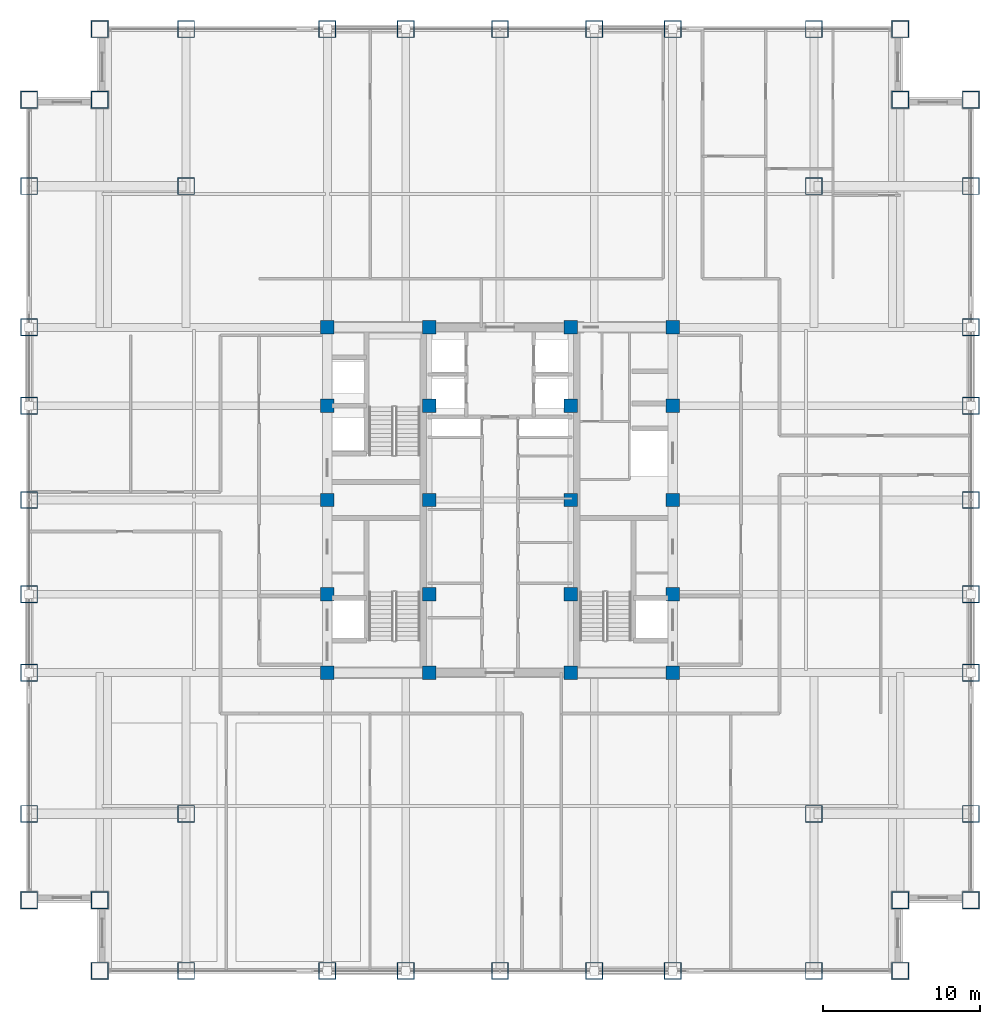
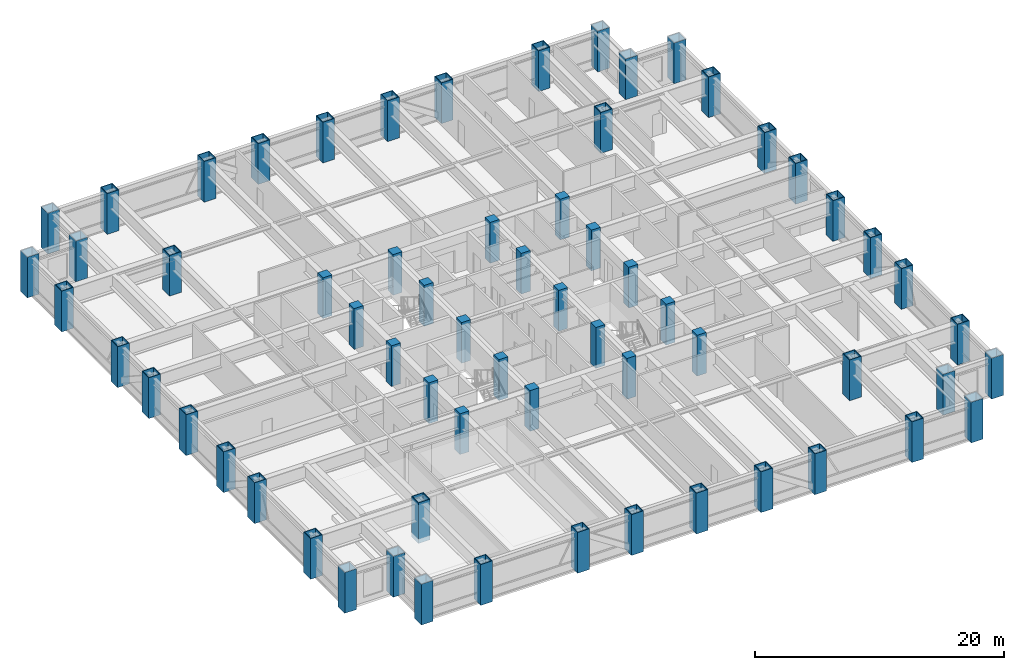
# One storey, part 1 of 26: 64 columns.
"""IFC4 building model written with IfcOpenShell, lengths in metres."""

from ifc_helpers import new_model, si_unit, direction, frame, origin, origin_2d, place, context, subcontext, project, spatial, rectangle, hollow_rectangle, extrude, source, transform, mapped, material, material_profile, profile_set, type_object, element, save


model = new_model("IFC4")

# Units and contexts
model_context = context("Model", 3, precision=1e-05, world=origin(), true_north=direction((0.0, 1.0)))
body_context = subcontext(model_context, "Body", "Model", "MODEL_VIEW")
ifc_project = project(units=[si_unit("LENGTHUNIT", "METRE"), si_unit("AREAUNIT", "SQUARE_METRE"), si_unit("VOLUMEUNIT", "CUBIC_METRE"), si_unit("PLANEANGLEUNIT", "RADIAN"), si_unit("MASSUNIT", "GRAM", prefix="KILO")], contexts=[model_context])

# Site, building, storey
site_placement = place(None, origin())
site = spatial("IfcSite", under=ifc_project, at=site_placement, CompositionType="ELEMENT")
building_placement = place(site_placement, origin())
building = spatial("IfcBuilding", under=site, at=building_placement, Name="Khorayat Bourse Tower", CompositionType="ELEMENT")
storey_placement = place(building_placement, frame((0.0, 0.0, 207.10009765625)))
storey = spatial("IfcBuildingStorey", under=building, at=storey_placement, Name="L48", CompositionType="ELEMENT", Elevation=207.10009765625)

# Columns
ifc_material_1 = material(Name="Steel EN 10025-4 S460M", Category="steel")
ifc_material_profile_1 = material_profile(ifc_material_1, hollow_rectangle(XDim=1.10009765625, YDim=1.10009765625, WallThickness=0.06005859375, at=origin_2d()), Name="BOX 1100x1100x60")
ifc_profile_set_1 = profile_set([ifc_material_profile_1], Name="Steel EN 10025-4 S460M")
column_type_1 = type_object("IfcColumnType", Name="COL-TUBE-1100", PredefinedType="COLUMN", material=ifc_profile_set_1)
shared_shape_1 = source(origin(), body_context, "Body", "SweptSolid", [
    extrude(hollow_rectangle(XDim=1.10009765625, YDim=1.10009765625, WallThickness=0.06005859375, at=origin_2d()), origin(), (0.0, 0.0, 1.0), 4.0),
])
for number, where, z_axis, x_axis, name in (
    (1, (-30.0, -25.5, 0.0), (0.0, 0.0, 1.0), (1.0, 0.0, 0.0), "L48 Column 001"),
    (2, (-30.0, -20.0, 0.0), (0.0, 0.0, 1.0), (1.0, 0.0, 0.0), "L48 Column 002"),
    (3, (-30.0, -11.0, 0.0), (0.0, 0.0, 1.0), (1.0, 0.0, 0.0), "L48 Column 003"),
    (4, (-30.0, -6.0, 0.0), (0.0, 0.0, 1.0), (1.0, 0.0, 0.0), "L48 Column 004"),
    (5, (-30.0, 0.0, 0.0), (0.0, 0.0, 1.0), (1.0, 0.0, 0.0), "L48 Column 005"),
    (6, (-30.0, 6.0, 0.0), (0.0, 0.0, 1.0), (1.0, 0.0, 0.0), "L48 Column 006"),
    (7, (-30.0, 11.0, 0.0), (0.0, 0.0, 1.0), (1.0, 0.0, 0.0), "L48 Column 007"),
    (8, (-30.0, 20.0, 0.0), (0.0, 0.0, 1.0), (1.0, 0.0, 0.0), "L48 Column 008"),
    (9, (-30.0, 25.5, 0.0), (0.0, 0.0, 1.0), (1.0, 0.0, 0.0), "L48 Column 009"),
    (10, (-25.5, -30.0, 0.0), (0.0, 0.0, 1.0), (1.0, 0.0, 0.0), "L48 Column 010"),
    (11, (-25.5, -25.5, 0.0), (0.0, 0.0, 1.0), (1.0, 0.0, 0.0), "L48 Column 011"),
    (12, (-25.5, 25.5, 0.0), (0.0, 0.0, 1.0), (1.0, 0.0, 0.0), "L48 Column 012"),
    (13, (-25.5, 30.0, 0.0), (0.0, 0.0, 1.0), (1.0, 0.0, 0.0), "L48 Column 013"),
    (14, (-20.0, -30.0, 0.0), (0.0, 0.0, 1.0), (1.0, 0.0, 0.0), "L48 Column 014"),
    (15, (-20.0, -20.0, 0.0), (0.0, 0.0, 1.0), (1.0, 0.0, 0.0), "L48 Column 015"),
    (16, (-20.0, 20.0, 0.0), (0.0, 0.0, 1.0), (1.0, 0.0, 0.0), "L48 Column 016"),
    (17, (-20.0, 30.0, 0.0), (0.0, 0.0, 1.0), (1.0, 0.0, 0.0), "L48 Column 017"),
    (18, (-11.0, -30.0, 0.0), (0.0, 0.0, 1.0), (1.0, 0.0, 0.0), "L48 Column 018"),
    (19, (-11.0, 30.0, 0.0), (0.0, 0.0, 1.0), (1.0, 0.0, 0.0), "L48 Column 024"),
    (20, (-6.0, -30.0, 0.0), (0.0, 0.0, 1.0), (1.0, 0.0, 0.0), "L48 Column 025"),
    (21, (-6.0, 30.0, 0.0), (0.0, 0.0, 1.0), (1.0, 0.0, 0.0), "L48 Column 026"),
    (22, (0.0, -30.0, 0.0), (0.0, 0.0, 1.0), (1.0, 0.0, 0.0), "L48 Column 032"),
    (23, (0.0, 30.0, 0.0), (0.0, 0.0, 1.0), (1.0, 0.0, 0.0), "L48 Column 033"),
    (24, (6.0, -30.0, 0.0), (0.0, 0.0, 1.0), (1.0, 0.0, 0.0), "L48 Column 039"),
    (25, (6.0, 30.0, 0.0), (0.0, 0.0, 1.0), (1.0, 0.0, 0.0), "L48 Column 040"),
    (26, (11.0, -30.0, 0.0), (0.0, 0.0, 1.0), (1.0, 0.0, 0.0), "L48 Column 041"),
    (27, (11.0, 30.0, 0.0), (0.0, 0.0, 1.0), (1.0, 0.0, 0.0), "L48 Column 047"),
    (28, (20.0, -30.0, 0.0), (0.0, 0.0, 1.0), (1.0, 0.0, 0.0), "L48 Column 048"),
    (29, (20.0, -20.0, 0.0), (0.0, 0.0, 1.0), (1.0, 0.0, 0.0), "L48 Column 049"),
    (30, (20.0, 20.0, 0.0), (0.0, 0.0, 1.0), (1.0, 0.0, 0.0), "L48 Column 050"),
    (31, (20.0, 30.0, 0.0), (0.0, 0.0, 1.0), (1.0, 0.0, 0.0), "L48 Column 051"),
    (32, (25.5, -30.0, 0.0), (0.0, 0.0, 1.0), (1.0, 0.0, 0.0), "L48 Column 052"),
    (33, (25.5, -25.5, 0.0), (0.0, 0.0, 1.0), (1.0, 0.0, 0.0), "L48 Column 053"),
    (34, (25.5, 25.5, 0.0), (0.0, 0.0, 1.0), (1.0, 0.0, 0.0), "L48 Column 054"),
    (35, (25.5, 30.0, 0.0), (0.0, 0.0, 1.0), (1.0, 0.0, 0.0), "L48 Column 055"),
    (36, (30.0, -25.5, 0.0), (0.0, 0.0, 1.0), (1.0, 0.0, 0.0), "L48 Column 056"),
    (37, (30.0, -20.0, 0.0), (0.0, 0.0, 1.0), (1.0, 0.0, 0.0), "L48 Column 057"),
    (38, (30.0, -11.0, 0.0), (0.0, 0.0, 1.0), (1.0, 0.0, 0.0), "L48 Column 058"),
    (39, (30.0, -6.0, 0.0), (0.0, 0.0, 1.0), (1.0, 0.0, 0.0), "L48 Column 059"),
    (40, (30.0, 0.0, 0.0), (0.0, 0.0, 1.0), (1.0, 0.0, 0.0), "L48 Column 060"),
    (41, (30.0, 6.0, 0.0), (0.0, 0.0, 1.0), (1.0, 0.0, 0.0), "L48 Column 061"),
    (42, (30.0, 11.0, 0.0), (0.0, 0.0, 1.0), (1.0, 0.0, 0.0), "L48 Column 062"),
    (43, (30.0, 20.0, 0.0), (0.0, 0.0, 1.0), (1.0, 0.0, 0.0), "L48 Column 063"),
    (44, (30.0, 25.5, 0.0), (0.0, 0.0, 1.0), (1.0, 0.0, 0.0), "L48 Column 064"),
):
    element("IfcColumn", number, at=place(storey_placement, frame(where, z_axis=z_axis, x_axis=x_axis)), inside=storey, type_object=column_type_1, Name=name, PredefinedType="COLUMN", context=body_context, shape_type="MappedRepresentation", body=[
        mapped(shared_shape_1, transform((0.0, 0.0, 0.0), scale=1.0)),
    ])
ifc_material_2 = material(Name="Concrete C60/75", Category="concrete")
ifc_material_profile_2 = material_profile(ifc_material_2, rectangle(XDim=0.85009765625, YDim=0.85009765625, at=origin_2d()), Name="RC 850x850")
ifc_profile_set_2 = profile_set([ifc_material_profile_2], Name="Concrete C60/75")
column_type_2 = type_object("IfcColumnType", Name="COL-CORE-850", PredefinedType="COLUMN", material=ifc_profile_set_2)
shared_shape_2 = source(origin(), body_context, "Body", "SweptSolid", [
    extrude(rectangle(XDim=0.85009765625, YDim=0.85009765625, at=origin_2d()), origin(), (0.0, 0.0, 1.0), 4.0),
])
for number, where, z_axis, x_axis, name in (
    (45, (-11.0, -11.0, 0.0), (0.0, 0.0, 1.0), (1.0, 0.0, 0.0), "L48 Column 019"),
    (46, (-11.0, -6.0, 0.0), (0.0, 0.0, 1.0), (1.0, 0.0, 0.0), "L48 Column 020"),
    (47, (-11.0, 0.0, 0.0), (0.0, 0.0, 1.0), (1.0, 0.0, 0.0), "L48 Column 021"),
    (48, (-11.0, 6.0, 0.0), (0.0, 0.0, 1.0), (1.0, 0.0, 0.0), "L48 Column 022"),
    (49, (-11.0, 11.0, 0.0), (0.0, 0.0, 1.0), (1.0, 0.0, 0.0), "L48 Column 023"),
    (50, (-4.5, -11.0, 0.0), (0.0, 0.0, 1.0), (1.0, 0.0, 0.0), "L48 Column 027"),
    (51, (-4.5, -6.0, 0.0), (0.0, 0.0, 1.0), (1.0, 0.0, 0.0), "L48 Column 028"),
    (52, (-4.5, 0.0, 0.0), (0.0, 0.0, 1.0), (1.0, 0.0, 0.0), "L48 Column 029"),
    (53, (-4.5, 6.0, 0.0), (0.0, 0.0, 1.0), (1.0, 0.0, 0.0), "L48 Column 030"),
    (54, (-4.5, 11.0, 0.0), (0.0, 0.0, 1.0), (1.0, 0.0, 0.0), "L48 Column 031"),
    (55, (4.5, -11.0, 0.0), (0.0, 0.0, 1.0), (1.0, 0.0, 0.0), "L48 Column 034"),
    (56, (4.5, -6.0, 0.0), (0.0, 0.0, 1.0), (1.0, 0.0, 0.0), "L48 Column 035"),
    (57, (4.5, 0.0, 0.0), (0.0, 0.0, 1.0), (1.0, 0.0, 0.0), "L48 Column 036"),
    (58, (4.5, 6.0, 0.0), (0.0, 0.0, 1.0), (1.0, 0.0, 0.0), "L48 Column 037"),
    (59, (4.5, 11.0, 0.0), (0.0, 0.0, 1.0), (1.0, 0.0, 0.0), "L48 Column 038"),
    (60, (11.0, -11.0, 0.0), (0.0, 0.0, 1.0), (1.0, 0.0, 0.0), "L48 Column 042"),
    (61, (11.0, -6.0, 0.0), (0.0, 0.0, 1.0), (1.0, 0.0, 0.0), "L48 Column 043"),
    (62, (11.0, 0.0, 0.0), (0.0, 0.0, 1.0), (1.0, 0.0, 0.0), "L48 Column 044"),
    (63, (11.0, 6.0, 0.0), (0.0, 0.0, 1.0), (1.0, 0.0, 0.0), "L48 Column 045"),
    (64, (11.0, 11.0, 0.0), (0.0, 0.0, 1.0), (1.0, 0.0, 0.0), "L48 Column 046"),
):
    element("IfcColumn", number, at=place(storey_placement, frame(where, z_axis=z_axis, x_axis=x_axis)), inside=storey, type_object=column_type_2, Name=name, PredefinedType="COLUMN", context=body_context, shape_type="MappedRepresentation", body=[
        mapped(shared_shape_2, transform((0.0, 0.0, 0.0), scale=1.0)),
    ])

save(model, "model.ifc")
